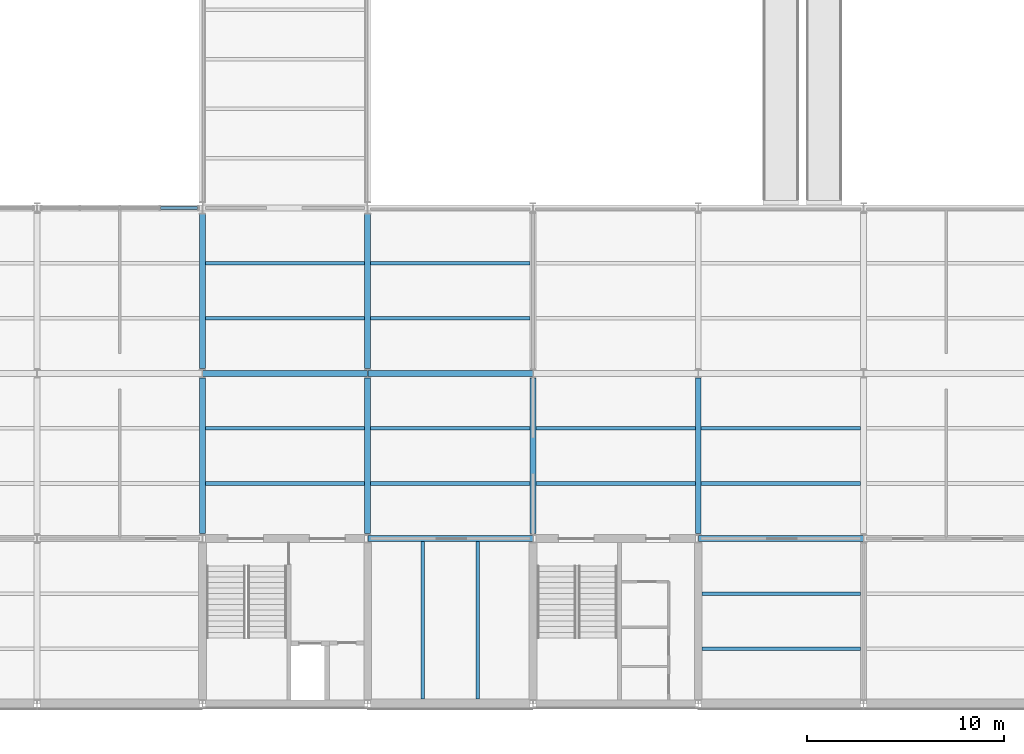
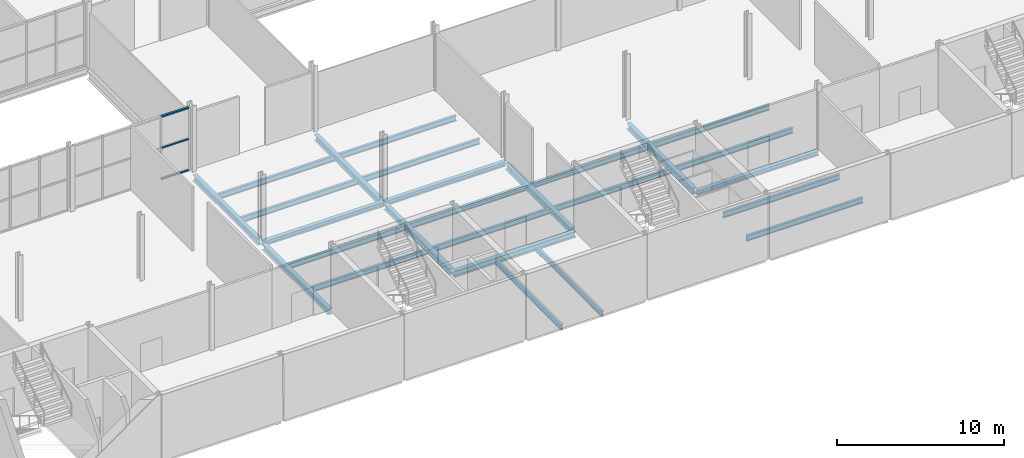
# One storey, part 11 of 52: 26 beams, 3 members, 1 element without a shape of its own.
"""IFC4 building model written with IfcOpenShell, lengths in metres."""

from ifc_helpers import new_model, si_unit, direction, frame, origin, origin_2d, place, context, subcontext, project, spatial, hollow_rectangle, i_section, extrude, material, layer, layer_set, material_profile, profile_set, type_object, element, aggregate, save


model = new_model("IFC4")

# Units and contexts
model_context = context("Model", 3, precision=1e-05, world=origin(), true_north=direction((0.0, 1.0)))
body_context = subcontext(model_context, "Body", "Model", "MODEL_VIEW")
ifc_project = project(units=[si_unit("LENGTHUNIT", "METRE"), si_unit("AREAUNIT", "SQUARE_METRE"), si_unit("VOLUMEUNIT", "CUBIC_METRE"), si_unit("PLANEANGLEUNIT", "RADIAN"), si_unit("MASSUNIT", "GRAM", prefix="KILO")], contexts=[model_context])

# Site, building, storey
site_placement = place(None, origin())
site = spatial("IfcSite", under=ifc_project, at=site_placement, CompositionType="ELEMENT")
building_placement = place(site_placement, origin())
building = spatial("IfcBuilding", under=site, at=building_placement, Name="Galleria Vessillo Department Store", CompositionType="ELEMENT")
storey_placement = place(building_placement, frame((0.0, 0.0, 16.199951171875)))
storey = spatial("IfcBuildingStorey", under=building, at=storey_placement, Name="L03", CompositionType="ELEMENT", Elevation=16.199951171875)

# Beams
ifc_material_1 = material(Name="Steel S355 J2", Category="steel")
ifc_material_profile_1 = material_profile(ifc_material_1, i_section(OverallWidth=0.300048828125, OverallDepth=0.43994140625, WebThickness=0.011474609375, FlangeThickness=0.02099609375, FilletRadius=0.027099609375, at=origin_2d()), Name="HEA 450")
ifc_profile_set_1 = profile_set([ifc_material_profile_1], Name="Steel S355 J2")
beam_type_1 = type_object("IfcBeamType", Name="Floor girder HEA 450", PredefinedType="BEAM", material=ifc_profile_set_1)
beam_1_placement = place(storey_placement, frame((42.00732421875, 8.39990234375, -0.369873046875), z_axis=(1.0, 0.0, 0.0), x_axis=(0.0, 1.0, 0.0)))
element("IfcBeam", 1, at=beam_1_placement, inside=storey, type_object=beam_type_1, Name="S-BM-L03-GI-x8400-42007", PredefinedType="BEAM", context=body_context, shape_type="SweptSolid", body=[
    extrude(i_section(OverallWidth=0.300048828125, OverallDepth=0.43994140625, WebThickness=0.011474609375, FlangeThickness=0.02099609375, FilletRadius=0.027099609375, at=origin_2d()), origin(), (0.0, 0.0, 1.0), 8.38525390625),
])
beam_2_placement = place(storey_placement, frame((33.60009765625, 8.650146484375, -0.369873046875), z_axis=(0.0, 1.0, 0.0), x_axis=(-1.0, 0.0, 0.0)))
element("IfcBeam", 2, at=beam_2_placement, inside=storey, type_object=beam_type_1, Name="S-BM-L03-GI-y33600-8650", PredefinedType="BEAM", context=body_context, shape_type="SweptSolid", body=[
    extrude(i_section(OverallWidth=0.300048828125, OverallDepth=0.43994140625, WebThickness=0.011474609375, FlangeThickness=0.02099609375, FilletRadius=0.027099609375, at=origin_2d()), origin(), (0.0, 0.0, 1.0), 7.899658203125),
])
beam_3_placement = place(storey_placement, frame((33.60009765625, 17.050048828125, -0.369873046875), z_axis=(0.0, 1.0, 0.0), x_axis=(-1.0, 0.0, 0.0)))
element("IfcBeam", 3, at=beam_3_placement, inside=storey, type_object=beam_type_1, Name="S-BM-L03-GI-y33600-17050", PredefinedType="BEAM", context=body_context, shape_type="SweptSolid", body=[
    extrude(i_section(OverallWidth=0.300048828125, OverallDepth=0.43994140625, WebThickness=0.011474609375, FlangeThickness=0.02099609375, FilletRadius=0.027099609375, at=origin_2d()), origin(), (0.0, 0.0, 1.0), 7.83984375),
])
beam_4_placement = place(storey_placement, frame((42.0, 8.650146484375, -0.369873046875), z_axis=(0.0, 1.0, 0.0), x_axis=(-1.0, 0.0, 0.0)))
element("IfcBeam", 4, at=beam_4_placement, inside=storey, type_object=beam_type_1, Name="S-BM-L03-GI-y42000-8650", PredefinedType="BEAM", context=body_context, shape_type="SweptSolid", body=[
    extrude(i_section(OverallWidth=0.300048828125, OverallDepth=0.43994140625, WebThickness=0.011474609375, FlangeThickness=0.02099609375, FilletRadius=0.027099609375, at=origin_2d()), origin(), (0.0, 0.0, 1.0), 7.899658203125),
])
beam_5_placement = place(storey_placement, frame((42.0, 17.050048828125, -0.369873046875), z_axis=(0.0, 1.0, 0.0), x_axis=(-1.0, 0.0, 0.0)))
element("IfcBeam", 5, at=beam_5_placement, inside=storey, type_object=beam_type_1, Name="S-BM-L03-GI-y42000-17050", PredefinedType="BEAM", context=body_context, shape_type="SweptSolid", body=[
    extrude(i_section(OverallWidth=0.300048828125, OverallDepth=0.43994140625, WebThickness=0.011474609375, FlangeThickness=0.02099609375, FilletRadius=0.027099609375, at=origin_2d()), origin(), (0.0, 0.0, 1.0), 7.83984375),
])
for number, where, z_axis, x_axis, name in (
    (6, (50.39990234375, 8.650146484375, -0.369873046875), (0.0, 1.0, 0.0), (-1.0, 0.0, 0.0), "S-BM-L03-GI-y50400-8650"),
    (7, (58.800048828125, 8.650146484375, -0.369873046875), (0.0, 1.0, 0.0), (-1.0, 0.0, 0.0), "S-BM-L03-GI-y58800-8650"),
):
    element("IfcBeam", number, at=place(storey_placement, frame(where, z_axis=z_axis, x_axis=x_axis)), inside=storey, type_object=beam_type_1, Name=name, PredefinedType="BEAM", context=body_context, shape_type="SweptSolid", body=[
        extrude(i_section(OverallWidth=0.300048828125, OverallDepth=0.43994140625, WebThickness=0.011474609375, FlangeThickness=0.02099609375, FilletRadius=0.027099609375, at=origin_2d()), origin(), (0.0, 0.0, 1.0), 7.899658203125),
    ])
ifc_material_2 = material(Name="Steel S355 J2", Category="steel")
ifc_material_profile_2 = material_profile(ifc_material_2, i_section(OverallWidth=0.179931640625, OverallDepth=0.39990234375, WebThickness=0.008544921875, FlangeThickness=0.013427734375, FilletRadius=0.02099609375, at=origin_2d()), Name="IPE 400")
ifc_profile_set_2 = profile_set([ifc_material_profile_2], Name="Steel S355 J2")
beam_type_2 = type_object("IfcBeamType", Name="Floor joist IPE 400", PredefinedType="JOIST", material=ifc_profile_set_2)
for number, where, z_axis, x_axis, name in (
    (8, (33.750244140625, 11.199951171875, -0.349853515625), (1.0, 0.0, 0.0), (0.0, 1.0, 0.0), "S-BM-L03-JO-x11200-33750"),
    (9, (33.750244140625, 14.0, -0.349853515625), (1.0, 0.0, 0.0), (0.0, 1.0, 0.0), "S-BM-L03-JO-x14000-33750"),
    (10, (33.750244140625, 19.60009765625, -0.349853515625), (1.0, 0.0, 0.0), (0.0, 1.0, 0.0), "S-BM-L03-JO-x19600-33750"),
    (11, (33.750244140625, 22.39990234375, -0.349853515625), (1.0, 0.0, 0.0), (0.0, 1.0, 0.0), "S-BM-L03-JO-x22400-33750"),
):
    element("IfcBeam", number, at=place(storey_placement, frame(where, z_axis=z_axis, x_axis=x_axis)), inside=storey, type_object=beam_type_2, Name=name, PredefinedType="JOIST", context=body_context, shape_type="SweptSolid", body=[
        extrude(i_section(OverallWidth=0.179931640625, OverallDepth=0.39990234375, WebThickness=0.008544921875, FlangeThickness=0.013427734375, FilletRadius=0.02099609375, at=origin_2d()), origin(), (0.0, 0.0, 1.0), 8.099609375),
    ])
for number, where, z_axis, x_axis, name in (
    (12, (44.800048828125, 0.250244140625, -0.349853515625), (0.0, 1.0, 0.0), (-1.0, 0.0, 0.0), "S-BM-L03-JO-y44800-250"),
    (13, (47.60009765625, 0.250244140625, -0.349853515625), (0.0, 1.0, 0.0), (-1.0, 0.0, 0.0), "S-BM-L03-JO-y47600-250"),
):
    element("IfcBeam", number, at=place(storey_placement, frame(where, z_axis=z_axis, x_axis=x_axis)), inside=storey, type_object=beam_type_2, Name=name, PredefinedType="JOIST", context=body_context, shape_type="SweptSolid", body=[
        extrude(i_section(OverallWidth=0.179931640625, OverallDepth=0.39990234375, WebThickness=0.008544921875, FlangeThickness=0.013427734375, FilletRadius=0.02099609375, at=origin_2d()), origin(), (0.0, 0.0, 1.0), 7.99951171875),
    ])
for number, where, z_axis, x_axis, name in (
    (14, (42.150146484375, 11.199951171875, -0.349853515625), (1.0, 0.0, 0.0), (0.0, 1.0, 0.0), "S-BM-L03-JO-x11200-42150"),
    (15, (42.150146484375, 14.0, -0.349853515625), (1.0, 0.0, 0.0), (0.0, 1.0, 0.0), "S-BM-L03-JO-x14000-42150"),
    (16, (42.150146484375, 19.60009765625, -0.349853515625), (1.0, 0.0, 0.0), (0.0, 1.0, 0.0), "S-BM-L03-JO-x19600-42150"),
    (17, (42.150146484375, 22.39990234375, -0.349853515625), (1.0, 0.0, 0.0), (0.0, 1.0, 0.0), "S-BM-L03-JO-x22400-42150"),
):
    element("IfcBeam", number, at=place(storey_placement, frame(where, z_axis=z_axis, x_axis=x_axis)), inside=storey, type_object=beam_type_2, Name=name, PredefinedType="JOIST", context=body_context, shape_type="SweptSolid", body=[
        extrude(i_section(OverallWidth=0.179931640625, OverallDepth=0.39990234375, WebThickness=0.008544921875, FlangeThickness=0.013427734375, FilletRadius=0.02099609375, at=origin_2d()), origin(), (0.0, 0.0, 1.0), 8.099609375),
    ])
for number, where, z_axis, x_axis, name in (
    (18, (50.550048828125, 11.199951171875, -0.349853515625), (1.0, 0.0, 0.0), (0.0, 1.0, 0.0), "S-BM-L03-JO-x11200-50550"),
    (19, (50.550048828125, 14.0, -0.349853515625), (1.0, 0.0, 0.0), (0.0, 1.0, 0.0), "S-BM-L03-JO-x14000-50550"),
):
    element("IfcBeam", number, at=place(storey_placement, frame(where, z_axis=z_axis, x_axis=x_axis)), inside=storey, type_object=beam_type_2, Name=name, PredefinedType="JOIST", context=body_context, shape_type="SweptSolid", body=[
        extrude(i_section(OverallWidth=0.179931640625, OverallDepth=0.39990234375, WebThickness=0.008544921875, FlangeThickness=0.013427734375, FilletRadius=0.02099609375, at=origin_2d()), origin(), (0.0, 0.0, 1.0), 8.099853515625),
    ])
for number, where, z_axis, x_axis, name in (
    (20, (59.000244140625, 2.800048828125, -0.349853515625), (1.0, 0.0, 0.0), (0.0, 1.0, 0.0), "S-BM-L03-JO-x2800-59000"),
    (21, (59.000244140625, 5.60009765625, -0.349853515625), (1.0, 0.0, 0.0), (0.0, 1.0, 0.0), "S-BM-L03-JO-x5600-59000"),
):
    element("IfcBeam", number, at=place(storey_placement, frame(where, z_axis=z_axis, x_axis=x_axis)), inside=storey, type_object=beam_type_2, Name=name, PredefinedType="JOIST", context=body_context, shape_type="SweptSolid", body=[
        extrude(i_section(OverallWidth=0.179931640625, OverallDepth=0.39990234375, WebThickness=0.008544921875, FlangeThickness=0.013427734375, FilletRadius=0.02099609375, at=origin_2d()), origin(), (0.0, 0.0, 1.0), 8.049560546875),
    ])
for number, where, z_axis, x_axis, name in (
    (22, (58.9501953125, 11.199951171875, -0.349853515625), (1.0, 0.0, 0.0), (0.0, 1.0, 0.0), "S-BM-L03-JO-x11200-58950"),
    (23, (58.9501953125, 14.0, -0.349853515625), (1.0, 0.0, 0.0), (0.0, 1.0, 0.0), "S-BM-L03-JO-x14000-58950"),
):
    element("IfcBeam", number, at=place(storey_placement, frame(where, z_axis=z_axis, x_axis=x_axis)), inside=storey, type_object=beam_type_2, Name=name, PredefinedType="JOIST", context=body_context, shape_type="SweptSolid", body=[
        extrude(i_section(OverallWidth=0.179931640625, OverallDepth=0.39990234375, WebThickness=0.008544921875, FlangeThickness=0.013427734375, FilletRadius=0.02099609375, at=origin_2d()), origin(), (0.0, 0.0, 1.0), 8.099609375),
    ])
ifc_material_3 = material(Name="Steel S355 J2", Category="steel")
ifc_material_profile_3 = material_profile(ifc_material_3, i_section(OverallWidth=0.300048828125, OverallDepth=0.330078125, WebThickness=0.009521484375, FlangeThickness=0.0166015625, FilletRadius=0.027099609375, at=origin_2d()), Name="HEA 340")
ifc_profile_set_3 = profile_set([ifc_material_profile_3], Name="Steel S355 J2")
beam_type_3 = type_object("IfcBeamType", Name="Floor tie girder HEA 340", PredefinedType="BEAM", material=ifc_profile_set_3)
for number, where, z_axis, x_axis, name in (
    (24, (58.807373046875, 8.39990234375, -0.31494140625), (1.0, 0.0, 0.0), (0.0, 1.0, 0.0), "S-BM-L03-TI-x8400-58807"),
    (25, (33.607421875, 16.800048828125, -0.31494140625), (1.0, 0.0, 0.0), (0.0, 1.0, 0.0), "S-BM-L03-TI-x16800-33607"),
    (26, (42.00732421875, 16.800048828125, -0.31494140625), (1.0, 0.0, 0.0), (0.0, 1.0, 0.0), "S-BM-L03-TI-x16800-42007"),
):
    element("IfcBeam", number, at=place(storey_placement, frame(where, z_axis=z_axis, x_axis=x_axis)), inside=storey, type_object=beam_type_3, Name=name, PredefinedType="BEAM", context=body_context, shape_type="SweptSolid", body=[
        extrude(i_section(OverallWidth=0.300048828125, OverallDepth=0.330078125, WebThickness=0.009521484375, FlangeThickness=0.0166015625, FilletRadius=0.027099609375, at=origin_2d()), origin(), (0.0, 0.0, 1.0), 8.38525390625),
    ])

# Curtain wall, members
ifc_material_4 = material(Name="Steel and fire-resisting glass curtain wall", Category="steel")
ifc_layer = layer(ifc_material_4, 0.199951171875)
ifc_layer_set = layer_set([ifc_layer], Name="Steel and fire-resisting glass curtain wall")
curtain_wall_type = type_object("IfcCurtainWallType", Name="Arcade fire-resisting glazed shopfront EI 120-Sa", PredefinedType="NOTDEFINED", material=ifc_layer_set)
curtain_wall_placement = place(storey_placement, origin())
curtain_wall = element("IfcCurtainWall", 27, at=curtain_wall_placement, inside=storey, type_object=curtain_wall_type, Name="Arcade fire-resisting glazed shopfront EI 120-Sa AI-AW-S-L03-02", PredefinedType="NOTDEFINED")
ifc_material_5 = material(Name="Steel S355 J2", Category="steel")
ifc_material_profile_4 = material_profile(ifc_material_5, hollow_rectangle(XDim=0.14990234375, YDim=0.10009765625, WallThickness=0.008056640625, at=origin_2d()), Name="RHS 150x100x8")
ifc_profile_set_4 = profile_set([ifc_material_profile_4], Name="Steel S355 J2")
member_type = type_object("IfcMemberType", Name="Steel transom RHS 150x100x8", PredefinedType="USERDEFINED", material=ifc_profile_set_4)
member_1_placement = place(storey_placement, frame((31.473876953125, 25.199951171875, 0.050048828125), z_axis=(1.0, 0.0, 0.0), x_axis=(0.0, 1.0, 0.0)))
member_1 = element("IfcMember", 28, at=member_1_placement, type_object=member_type, Name="CW7 transom 4.1", ObjectType="TRANSOM", PredefinedType="USERDEFINED", context=body_context, shape_type="SweptSolid", body=[
    extrude(hollow_rectangle(XDim=0.14990234375, YDim=0.10009765625, WallThickness=0.008056640625, at=origin_2d()), origin(), (0.0, 0.0, 1.0), 1.87353515625),
])
member_2_placement = place(storey_placement, frame((31.473876953125, 25.199951171875, 2.324951171875), z_axis=(1.0, 0.0, 0.0), x_axis=(0.0, 1.0, 0.0)))
member_2 = element("IfcMember", 29, at=member_2_placement, type_object=member_type, Name="CW7 transom 4.2", ObjectType="TRANSOM", PredefinedType="USERDEFINED", context=body_context, shape_type="SweptSolid", body=[
    extrude(hollow_rectangle(XDim=0.14990234375, YDim=0.10009765625, WallThickness=0.008056640625, at=origin_2d()), origin(), (0.0, 0.0, 1.0), 1.87353515625),
])
member_3_placement = place(storey_placement, frame((31.473876953125, 25.199951171875, 4.60009765625), z_axis=(1.0, 0.0, 0.0), x_axis=(0.0, 1.0, 0.0)))
member_3 = element("IfcMember", 30, at=member_3_placement, type_object=member_type, Name="CW7 transom 4.3", ObjectType="TRANSOM", PredefinedType="USERDEFINED", context=body_context, shape_type="SweptSolid", body=[
    extrude(hollow_rectangle(XDim=0.14990234375, YDim=0.10009765625, WallThickness=0.008056640625, at=origin_2d()), origin(), (0.0, 0.0, 1.0), 1.87353515625),
])
aggregate(curtain_wall, [member_1, member_2, member_3])

save(model, "model.ifc")
